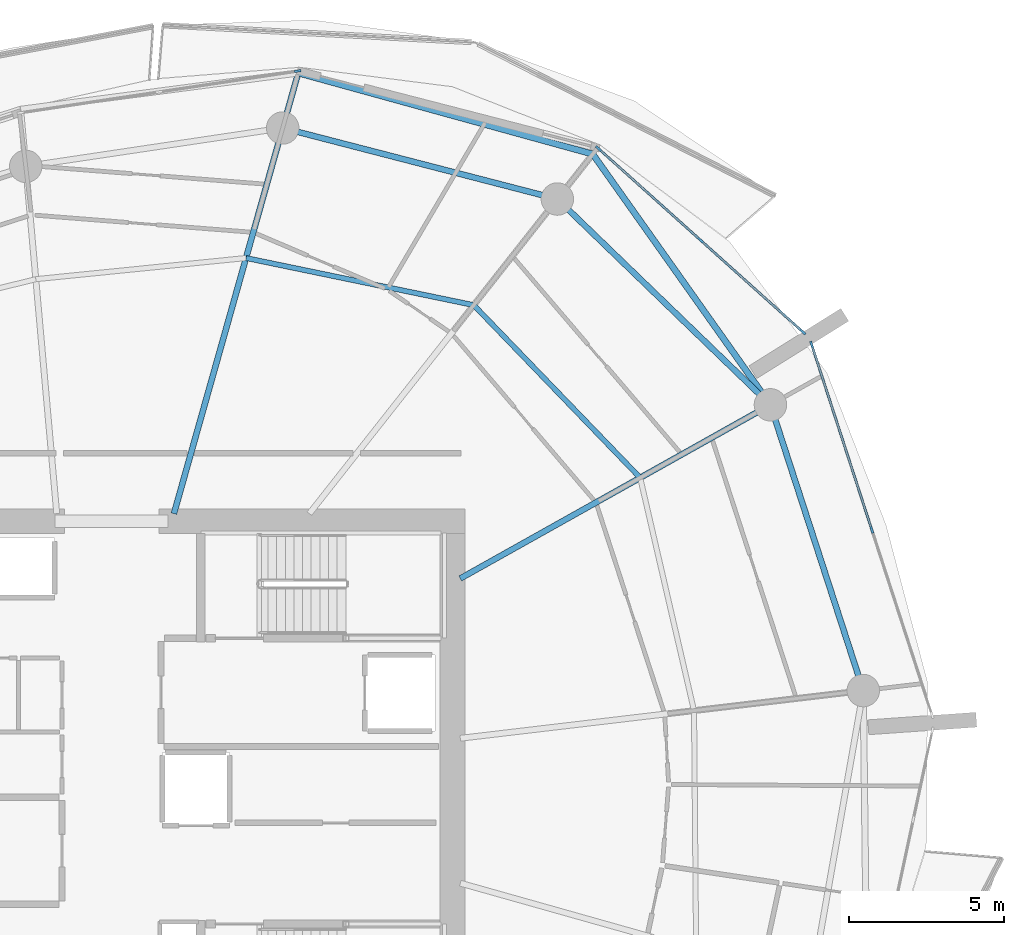
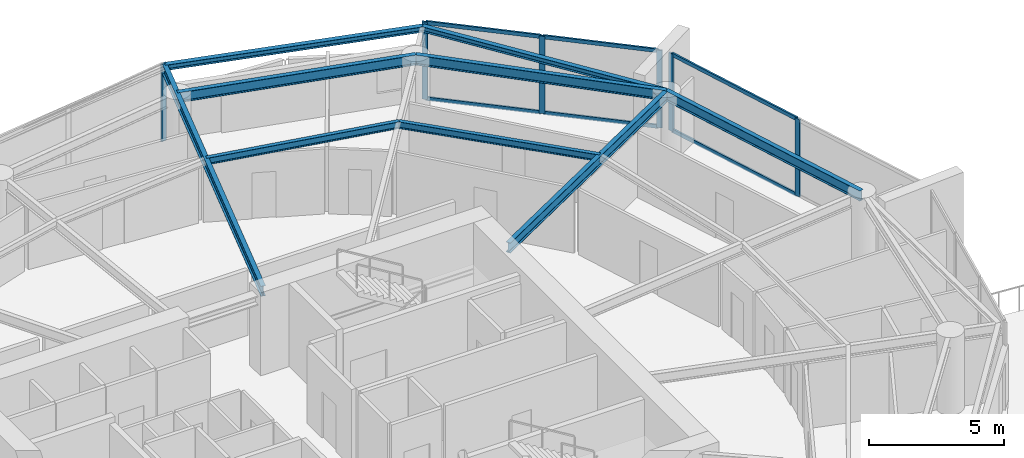
# One storey, part 9 of 20: 12 members, 9 beams, 3 elements without a shape of their own.
"""IFC4 building model written with IfcOpenShell, lengths in metres."""

from ifc_helpers import new_model, si_unit, direction, frame, origin, origin_2d, place, context, subcontext, project, spatial, rectangle, i_section, extrude, material, layer, layer_set, material_profile, profile_set, type_object, element, aggregate, save


model = new_model("IFC4")

# Units and contexts
model_context = context("Model", 3, precision=1e-05, world=origin(), true_north=direction((0.0, 1.0)))
body_context = subcontext(model_context, "Body", "Model", "MODEL_VIEW")
ifc_project = project(units=[si_unit("LENGTHUNIT", "METRE"), si_unit("AREAUNIT", "SQUARE_METRE"), si_unit("VOLUMEUNIT", "CUBIC_METRE"), si_unit("PLANEANGLEUNIT", "RADIAN"), si_unit("MASSUNIT", "GRAM", prefix="KILO")], contexts=[model_context])

# Site, building, storey
site_placement = place(None, origin())
site = spatial("IfcSite", under=ifc_project, at=site_placement, CompositionType="ELEMENT")
building_placement = place(site_placement, origin())
building = spatial("IfcBuilding", under=site, at=building_placement, Name="Kazma Halo Residences", CompositionType="ELEMENT")
storey_placement = place(building_placement, frame((0.0, 0.0, 146.550048828125)))
storey = spatial("IfcBuildingStorey", under=building, at=storey_placement, Name="L36", CompositionType="ELEMENT", Elevation=146.550048828125)

# Beams
ifc_material_1 = material(Name="Steel S355", Category="steel")
ifc_material_profile_1 = material_profile(ifc_material_1, i_section(OverallWidth=0.201904296875, OverallDepth=0.2470703125, WebThickness=0.00732421875, FlangeThickness=0.010986328125, FilletRadius=0.011962890625, at=origin_2d()), Name="W250x49.1")
ifc_profile_set_1 = profile_set([ifc_material_profile_1], Name="Steel S355")
beam_type_1 = type_object("IfcBeamType", Name="BM-BAL-CANT", PredefinedType="BEAM", material=ifc_profile_set_1)
beam_1_placement = place(storey_placement, frame((69.730224609375, 54.16943359375, 3.37646484375), z_axis=(-0.578203432081, 0.81589263456, 0.0), x_axis=(-0.81589263456, -0.578203432081, 0.0)))
element("IfcBeam", 1, at=beam_1_placement, inside=storey, type_object=beam_type_1, Name="L36 wave-balcony lead tie beam 01", PredefinedType="BEAM", context=body_context, shape_type="SweptSolid", body=[
    extrude(i_section(OverallWidth=0.201904296875, OverallDepth=0.2470703125, WebThickness=0.00732421875, FlangeThickness=0.010986328125, FilletRadius=0.011962890625, at=origin_2d()), origin(), (0.0, 0.0, 1.0), 9.9365234375),
])
beam_2_placement = place(storey_placement, frame((63.98486328125, 62.276611328125, 3.37646484375), z_axis=(-0.964045237638, 0.265738179019, 0.0), x_axis=(-0.265738179019, -0.964045237638, 0.0)))
element("IfcBeam", 2, at=beam_2_placement, inside=storey, type_object=beam_type_1, Name="L36 wave-balcony tie beam 02", PredefinedType="BEAM", context=body_context, shape_type="SweptSolid", body=[
    extrude(i_section(OverallWidth=0.201904296875, OverallDepth=0.2470703125, WebThickness=0.00732421875, FlangeThickness=0.010986328125, FilletRadius=0.011962890625, at=origin_2d()), origin(), (0.0, 0.0, 1.0), 9.880859375),
])
ifc_material_profile_2 = material_profile(ifc_material_1, i_section(OverallWidth=0.18994140625, OverallDepth=0.45703125, WebThickness=0.009033203125, FlangeThickness=0.014404296875, FilletRadius=0.01611328125, at=origin_2d()), Name="W460x74")
ifc_profile_set_2 = profile_set([ifc_material_profile_2], Name="Steel S355")
beam_type_2 = type_object("IfcBeamType", Name="BM-RAD-W460", PredefinedType="BEAM", material=ifc_profile_set_2)
beam_3_placement = place(storey_placement, frame((59.699951171875, 48.55224609375, 3.271484375), z_axis=(0.872497324456, 0.488618889132, 0.0), x_axis=(-0.488618889132, 0.872497324456, 0.0)))
element("IfcBeam", 3, at=beam_3_placement, inside=storey, type_object=beam_type_2, Name="L36 radial floor beam 01", PredefinedType="BEAM", context=body_context, shape_type="SweptSolid", body=[
    extrude(i_section(OverallWidth=0.18994140625, OverallDepth=0.45703125, WebThickness=0.009033203125, FlangeThickness=0.014404296875, FilletRadius=0.01611328125, at=origin_2d()), origin(), (0.0, 0.0, 1.0), 11.49609375),
])
beam_4_placement = place(storey_placement, frame((50.439697265625, 50.64990234375, 3.271484375), z_axis=(0.271435886816, 0.962456523355, 0.0), x_axis=(-0.962456523355, 0.271435886816, 0.0)))
element("IfcBeam", 4, at=beam_4_placement, inside=storey, type_object=beam_type_2, Name="L36 radial floor beam 03", PredefinedType="BEAM", context=body_context, shape_type="SweptSolid", body=[
    extrude(i_section(OverallWidth=0.18994140625, OverallDepth=0.45703125, WebThickness=0.009033203125, FlangeThickness=0.014404296875, FilletRadius=0.01611328125, at=origin_2d()), origin(), (0.0, 0.0, 1.0), 14.808349609375),
])
ifc_material_profile_3 = material_profile(ifc_material_1, i_section(OverallWidth=0.1650390625, OverallDepth=0.31005859375, WebThickness=0.005859375, FlangeThickness=0.009765625, FilletRadius=0.011962890625, at=origin_2d()), Name="W310x38.7")
ifc_profile_set_3 = profile_set([ifc_material_profile_3], Name="Steel S355")
beam_type_3 = type_object("IfcBeamType", Name="BM-SEC-W310B", PredefinedType="JOIST", material=ifc_profile_set_3)
beam_5_placement = place(storey_placement, frame((65.517578125, 51.810302734375, 3.344970703125), z_axis=(-0.694049338985, 0.719927437354, 0.0), x_axis=(-0.719927437354, -0.694049338985, 0.0)))
element("IfcBeam", 5, at=beam_5_placement, inside=storey, type_object=beam_type_3, Name="L36 circumferential floor joist 01", PredefinedType="JOIST", context=body_context, shape_type="SweptSolid", body=[
    extrude(i_section(OverallWidth=0.1650390625, OverallDepth=0.31005859375, WebThickness=0.005859375, FlangeThickness=0.009765625, FilletRadius=0.011962890625, at=origin_2d()), origin(), (0.0, 0.0, 1.0), 7.7548828125),
])
beam_6_placement = place(storey_placement, frame((60.13525390625, 57.393310546875, 3.344970703125), z_axis=(-0.979272189631, 0.202548706773, 0.0), x_axis=(-0.202548706773, -0.979272189631, 0.0)))
element("IfcBeam", 6, at=beam_6_placement, inside=storey, type_object=beam_type_3, Name="L36 circumferential floor joist 02", PredefinedType="JOIST", context=body_context, shape_type="SweptSolid", body=[
    extrude(i_section(OverallWidth=0.1650390625, OverallDepth=0.31005859375, WebThickness=0.005859375, FlangeThickness=0.009765625, FilletRadius=0.011962890625, at=origin_2d()), origin(), (0.0, 0.0, 1.0), 7.52001953125),
])
ifc_material_profile_4 = material_profile(ifc_material_1, i_section(OverallWidth=0.18994140625, OverallDepth=0.45703125, WebThickness=0.009033203125, FlangeThickness=0.014404296875, FilletRadius=0.01611328125, at=origin_2d()), Name="W460x74")
ifc_profile_set_4 = profile_set([ifc_material_profile_4], Name="Steel S355")
beam_type_4 = type_object("IfcBeamType", Name="BM-SPN-W460", PredefinedType="BEAM", material=ifc_profile_set_4)
beam_7_placement = place(storey_placement, frame((69.730224609375, 54.16943359375, 3.271484375), z_axis=(-0.719334705845, 0.694663645923, 0.0), x_axis=(-0.694663645923, -0.719334705845, 0.0)))
element("IfcBeam", 7, at=beam_7_placement, inside=storey, type_object=beam_type_4, Name="L36 perimeter ring beam 01", PredefinedType="BEAM", context=body_context, shape_type="SweptSolid", body=[
    extrude(i_section(OverallWidth=0.18994140625, OverallDepth=0.45703125, WebThickness=0.009033203125, FlangeThickness=0.014404296875, FilletRadius=0.01611328125, at=origin_2d()), origin(), (0.0, 0.0, 1.0), 9.5791015625),
])
beam_8_placement = place(storey_placement, frame((62.839599609375, 60.82373046875, 3.271484375), z_axis=(-0.968123664213, 0.250472694699, 0.0), x_axis=(-0.250472694699, -0.968123664213, 0.0)))
element("IfcBeam", 8, at=beam_8_placement, inside=storey, type_object=beam_type_4, Name="L36 perimeter ring beam 02", PredefinedType="BEAM", context=body_context, shape_type="SweptSolid", body=[
    extrude(i_section(OverallWidth=0.18994140625, OverallDepth=0.45703125, WebThickness=0.009033203125, FlangeThickness=0.014404296875, FilletRadius=0.01611328125, at=origin_2d()), origin(), (0.0, 0.0, 1.0), 9.175048828125),
])
beam_9_placement = place(storey_placement, frame((72.733154296875, 44.927490234375, 3.271484375), z_axis=(-0.309020741629, 0.95105529873, 0.0), x_axis=(-0.95105529873, -0.309020741629, 0.0)))
element("IfcBeam", 9, at=beam_9_placement, inside=storey, type_object=beam_type_4, Name="L36 perimeter ring beam 16", PredefinedType="BEAM", context=body_context, shape_type="SweptSolid", body=[
    extrude(i_section(OverallWidth=0.18994140625, OverallDepth=0.45703125, WebThickness=0.009033203125, FlangeThickness=0.014404296875, FilletRadius=0.01611328125, at=origin_2d()), origin(), (0.0, 0.0, 1.0), 9.717529296875),
])

# Curtain wall, members
ifc_material_2 = material(Name="Aluminium AW-6063 T6 and Triple-Silver Low-E Glass", Category="aluminium")
ifc_layer = layer(ifc_material_2, 0.219970703125)
ifc_layer_set = layer_set([ifc_layer], Name="Aluminium AW-6063 T6 and Triple-Silver Low-E Glass")
curtain_wall_type = type_object("IfcCurtainWallType", Name="CW-SYS-4", PredefinedType="NOTDEFINED", material=ifc_layer_set)
curtain_wall_1_placement = place(storey_placement, origin())
curtain_wall_1 = element("IfcCurtainWall", 10, at=curtain_wall_1_placement, inside=storey, type_object=curtain_wall_type, Name="L36 unitised curtain wall B01", PredefinedType="NOTDEFINED")
ifc_material_3 = material(Name="Aluminium AW-6063 T6", Category="aluminium")
ifc_material_profile_5 = material_profile(ifc_material_3, rectangle(XDim=0.074951171875, YDim=0.219970703125, at=origin_2d()), Name="CWM-75x220")
ifc_profile_set_5 = profile_set([ifc_material_profile_5], Name="Aluminium AW-6063 T6")
member_type_1 = type_object("IfcMemberType", Name="CW-SYS-4-MUL", PredefinedType="MULLION", material=ifc_profile_set_5)
member_1_placement = place(storey_placement, frame((70.778564453125, 56.5263671875, 0.0), z_axis=(0.0, 0.0, 1.0), x_axis=(-0.667770096247, -0.744367582957, 0.0)))
member_1 = element("IfcMember", 11, at=member_1_placement, type_object=member_type_1, Name="CWS-4 mullion 1", PredefinedType="MULLION", context=body_context, shape_type="SweptSolid", body=[
    extrude(rectangle(XDim=0.074951171875, YDim=0.219970703125, at=origin_2d()), origin(), (0.0, 0.0, 1.0), 3.5),
])
member_2_placement = place(storey_placement, frame((67.47509765625, 59.48974609375, 0.0), z_axis=(0.0, 0.0, 1.0), x_axis=(-0.667770096247, -0.744367582957, 0.0)))
member_2 = element("IfcMember", 12, at=member_2_placement, type_object=member_type_1, Name="CWS-4 mullion 2", PredefinedType="MULLION", context=body_context, shape_type="SweptSolid", body=[
    extrude(rectangle(XDim=0.074951171875, YDim=0.219970703125, at=origin_2d()), origin(), (0.0, 0.0, 1.0), 3.5),
])
member_3_placement = place(storey_placement, frame((64.171630859375, 62.453369140625, 0.0), z_axis=(0.0, 0.0, 1.0), x_axis=(-0.667770096247, -0.744367582957, 0.0)))
member_3 = element("IfcMember", 13, at=member_3_placement, type_object=member_type_1, Name="CWS-4 mullion 3", PredefinedType="MULLION", context=body_context, shape_type="SweptSolid", body=[
    extrude(rectangle(XDim=0.074951171875, YDim=0.219970703125, at=origin_2d()), origin(), (0.0, 0.0, 1.0), 3.5),
])

# Curtain wall, member
curtain_wall_2_placement = place(storey_placement, origin())
curtain_wall_2 = element("IfcCurtainWall", 14, at=curtain_wall_2_placement, inside=storey, type_object=curtain_wall_type, Name="L36 unitised curtain wall B03", PredefinedType="NOTDEFINED")
member_4_placement = place(storey_placement, frame((54.440673828125, 64.962890625, 0.0), z_axis=(0.0, 0.0, 1.0), x_axis=(0.148821022686, -0.988864148004, 0.0)))
member_4 = element("IfcMember", 15, at=member_4_placement, type_object=member_type_1, Name="CWS-4 mullion 1", PredefinedType="MULLION", context=body_context, shape_type="SweptSolid", body=[
    extrude(rectangle(XDim=0.074951171875, YDim=0.219970703125, at=origin_2d()), origin(), (0.0, 0.0, 1.0), 3.5),
])
aggregate(curtain_wall_2, [member_4])

# Curtain wall, members
curtain_wall_3_placement = place(storey_placement, origin())
curtain_wall_3 = element("IfcCurtainWall", 16, at=curtain_wall_3_placement, inside=storey, type_object=curtain_wall_type, Name="L36 unitised curtain wall B16", PredefinedType="NOTDEFINED")
member_5_placement = place(storey_placement, frame((73.009033203125, 50.1259765625, 0.0), z_axis=(0.0, 0.0, 1.0), x_axis=(-0.951057547609, -0.3090138203, 0.0)))
member_5 = element("IfcMember", 17, at=member_5_placement, type_object=member_type_1, Name="CWS-4 mullion 2", PredefinedType="MULLION", context=body_context, shape_type="SweptSolid", body=[
    extrude(rectangle(XDim=0.074951171875, YDim=0.219970703125, at=origin_2d()), origin(), (0.0, 0.0, 1.0), 3.5),
])
member_6_placement = place(storey_placement, frame((71.062255859375, 56.117431640625, 0.0), z_axis=(0.0, 0.0, 1.0), x_axis=(-0.951057547609, -0.3090138203, 0.0)))
member_6 = element("IfcMember", 18, at=member_6_placement, type_object=member_type_1, Name="CWS-4 mullion 3", PredefinedType="MULLION", context=body_context, shape_type="SweptSolid", body=[
    extrude(rectangle(XDim=0.074951171875, YDim=0.219970703125, at=origin_2d()), origin(), (0.0, 0.0, 1.0), 3.5),
])

# Member
ifc_material_profile_6 = material_profile(ifc_material_3, rectangle(XDim=0.074951171875, YDim=0.1650390625, at=origin_2d()), Name="CWT-75x165")
ifc_profile_set_6 = profile_set([ifc_material_profile_6], Name="Aluminium AW-6063 T6")
member_type_2 = type_object("IfcMemberType", Name="CW-SYS-4-TRN", PredefinedType="USERDEFINED", material=ifc_profile_set_6)
member_7_placement = place(storey_placement, frame((70.75048828125, 56.55126953125, 0.037353515625), z_axis=(-0.744344978888, 0.66779529229, 0.0), x_axis=(-0.66779529229, -0.744344978888, 0.0)))
member_7 = element("IfcMember", 19, at=member_7_placement, type_object=member_type_2, Name="CWS-4 transom 1.1", ObjectType="TRANSOM", PredefinedType="USERDEFINED", context=body_context, shape_type="SweptSolid", body=[
    extrude(rectangle(XDim=0.074951171875, YDim=0.1650390625, at=origin_2d()), origin(), (0.0, 0.0, 1.0), 4.363037109375),
])

member_8_placement = place(storey_placement, frame((70.75048828125, 56.55126953125, 3.46240234375), z_axis=(-0.744344978888, 0.66779529229, 0.0), x_axis=(-0.66779529229, -0.744344978888, 0.0)))
member_8 = element("IfcMember", 20, at=member_8_placement, type_object=member_type_2, Name="CWS-4 transom 1.2", ObjectType="TRANSOM", PredefinedType="USERDEFINED", context=body_context, shape_type="SweptSolid", body=[
    extrude(rectangle(XDim=0.074951171875, YDim=0.1650390625, at=origin_2d()), origin(), (0.0, 0.0, 1.0), 4.363037109375),
])

member_9_placement = place(storey_placement, frame((67.447265625, 59.514892578125, 0.037353515625), z_axis=(-0.744372794017, 0.667764287401, 0.0), x_axis=(-0.667764287401, -0.744372794017, 0.0)))
member_9 = element("IfcMember", 21, at=member_9_placement, type_object=member_type_2, Name="CWS-4 transom 2.1", ObjectType="TRANSOM", PredefinedType="USERDEFINED", context=body_context, shape_type="SweptSolid", body=[
    extrude(rectangle(XDim=0.074951171875, YDim=0.1650390625, at=origin_2d()), origin(), (0.0, 0.0, 1.0), 4.36279296875),
])

member_10_placement = place(storey_placement, frame((67.447265625, 59.514892578125, 3.46240234375), z_axis=(-0.744372794017, 0.667764287401, 0.0), x_axis=(-0.667764287401, -0.744372794017, 0.0)))
member_10 = element("IfcMember", 22, at=member_10_placement, type_object=member_type_2, Name="CWS-4 transom 2.2", ObjectType="TRANSOM", PredefinedType="USERDEFINED", context=body_context, shape_type="SweptSolid", body=[
    extrude(rectangle(XDim=0.074951171875, YDim=0.1650390625, at=origin_2d()), origin(), (0.0, 0.0, 1.0), 4.36279296875),
])

aggregate(curtain_wall_1, [member_1, member_2, member_3, member_7, member_8, member_9, member_10])

member_11_placement = place(storey_placement, frame((72.99755859375, 50.16162109375, 0.037353515625), z_axis=(-0.309017784977, 0.951056259413, 0.0), x_axis=(-0.951056259413, -0.309017784977, 0.0)))
member_11 = element("IfcMember", 23, at=member_11_placement, type_object=member_type_2, Name="CWS-4 transom 2.1", ObjectType="TRANSOM", PredefinedType="USERDEFINED", context=body_context, shape_type="SweptSolid", body=[
    extrude(rectangle(XDim=0.074951171875, YDim=0.1650390625, at=origin_2d()), origin(), (0.0, 0.0, 1.0), 6.224853515625),
])

member_12_placement = place(storey_placement, frame((72.99755859375, 50.16162109375, 3.46240234375), z_axis=(-0.309017784977, 0.951056259413, 0.0), x_axis=(-0.951056259413, -0.309017784977, 0.0)))
member_12 = element("IfcMember", 24, at=member_12_placement, type_object=member_type_2, Name="CWS-4 transom 2.2", ObjectType="TRANSOM", PredefinedType="USERDEFINED", context=body_context, shape_type="SweptSolid", body=[
    extrude(rectangle(XDim=0.074951171875, YDim=0.1650390625, at=origin_2d()), origin(), (0.0, 0.0, 1.0), 6.224853515625),
])

aggregate(curtain_wall_3, [member_5, member_6, member_11, member_12])

save(model, "model.ifc")
